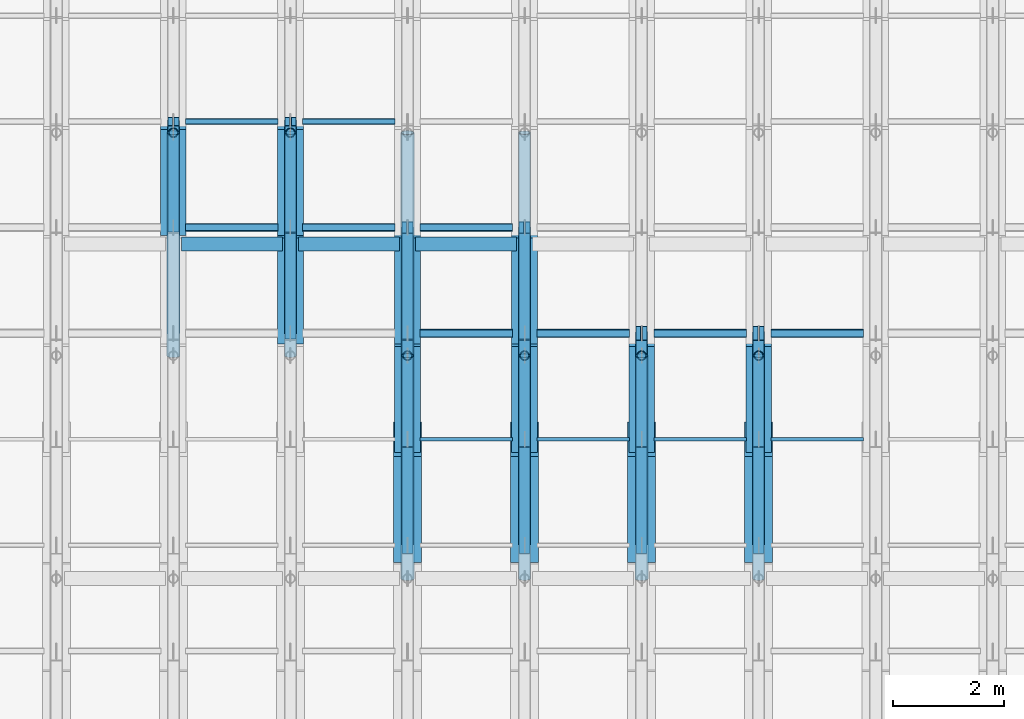
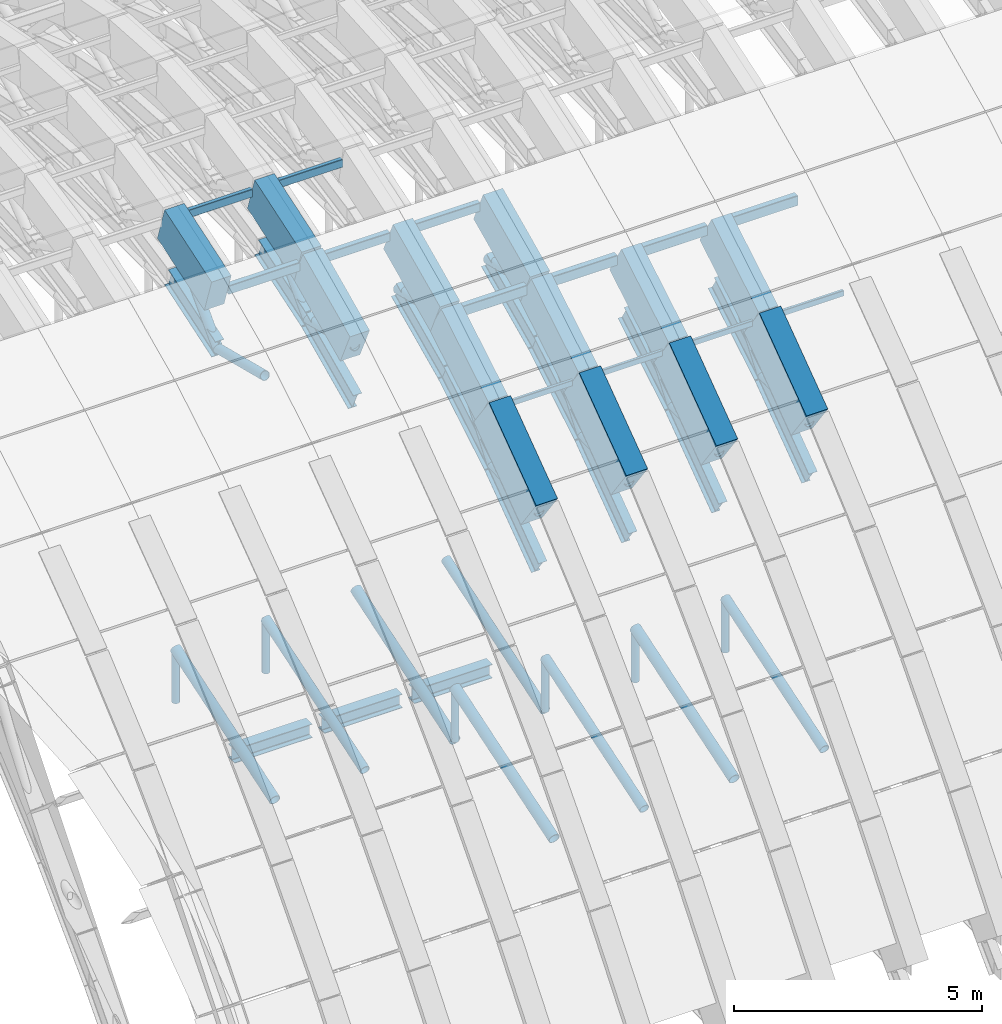
# One storey, part 9 of 67: 41 members, 29 beams.
"""IFC4 building model written with IfcOpenShell, lengths in metres."""

from ifc_helpers import new_model, si_unit, direction, frame, origin, origin_2d, place, context, subcontext, project, spatial, rectangle, hollow_rectangle, hollow_circle, i_section, extrude, material, material_profile, profile_set, type_object, element, save


model = new_model("IFC4")

# Units and contexts
model_context = context("Model", 3, precision=1e-05, world=origin(), true_north=direction((0.0, 1.0)))
body_context = subcontext(model_context, "Body", "Model", "MODEL_VIEW")
ifc_project = project(units=[si_unit("LENGTHUNIT", "METRE"), si_unit("AREAUNIT", "SQUARE_METRE"), si_unit("VOLUMEUNIT", "CUBIC_METRE"), si_unit("PLANEANGLEUNIT", "RADIAN"), si_unit("MASSUNIT", "GRAM", prefix="KILO")], contexts=[model_context])

# Site, building, storey
site_placement = place(None, origin())
site = spatial("IfcSite", under=ifc_project, at=site_placement, CompositionType="ELEMENT")
building_placement = place(site_placement, origin())
building = spatial("IfcBuilding", under=site, at=building_placement, Name="Shengluoqiao Park Theatre", CompositionType="ELEMENT")
storey_placement = place(building_placement, frame((0.0, 0.0, 28.60009765625)))
storey = spatial("IfcBuildingStorey", under=building, at=storey_placement, Name="Roof", CompositionType="ELEMENT", Elevation=28.60009765625)

# Beams
ifc_material_1 = material(Name="Concrete C50", Category="concrete")
ifc_material_profile_1 = material_profile(ifc_material_1, rectangle(XDim=0.4599609375, YDim=0.919921875, at=origin_2d()), Name="RC ARCH 460x920")
ifc_profile_set_1 = profile_set([ifc_material_profile_1], Name="Concrete C50")
beam_type_1 = type_object("IfcBeamType", Name="STR-BM-AR-4609", PredefinedType="BEAM", material=ifc_profile_set_1)
beam_1_placement = place(storey_placement, frame((65.39990234375, 89.300048828125, 1.44580078125), z_axis=(0.0, 0.949157901431, 0.314800378257), x_axis=(-1.0, 0.0, 0.0)))
element("IfcBeam", 1, at=beam_1_placement, inside=storey, type_object=beam_type_1, Name="Barrel-Shell Arch Rib R11-S08", PredefinedType="BEAM", context=body_context, shape_type="SweptSolid", body=[
    extrude(rectangle(XDim=0.4599609375, YDim=0.919921875, at=origin_2d()), origin(), (0.0, 0.0, 1.0), 2.001708984375),
])
beam_2_placement = place(storey_placement, frame((67.5, 87.39990234375, 0.56396484375), z_axis=(0.0, 0.907077318021, 0.420964059192), x_axis=(-1.0, 0.0, 0.0)))
element("IfcBeam", 2, at=beam_2_placement, inside=storey, type_object=beam_type_1, Name="Barrel-Shell Arch Rib R12-S07", PredefinedType="BEAM", context=body_context, shape_type="SweptSolid", body=[
    extrude(rectangle(XDim=0.4599609375, YDim=0.919921875, at=origin_2d()), origin(), (0.0, 0.0, 1.0), 2.0947265625),
])
beam_3_placement = place(storey_placement, frame((67.5, 89.300048828125, 1.44580078125), z_axis=(0.0, 0.949157901431, 0.314800378257), x_axis=(-1.0, 0.0, 0.0)))
element("IfcBeam", 3, at=beam_3_placement, inside=storey, type_object=beam_type_1, Name="Barrel-Shell Arch Rib R12-S08", PredefinedType="BEAM", context=body_context, shape_type="SweptSolid", body=[
    extrude(rectangle(XDim=0.4599609375, YDim=0.919921875, at=origin_2d()), origin(), (0.0, 0.0, 1.0), 2.001708984375),
])
beam_4_placement = place(storey_placement, frame((69.60009765625, 85.5, -0.570068359375), z_axis=(0.0, 0.858668723557, 0.512530997292), x_axis=(-1.0, 0.0, 0.0)))
element("IfcBeam", 4, at=beam_4_placement, inside=storey, type_object=beam_type_1, Name="Barrel-Shell Arch Rib R13-S06", PredefinedType="BEAM", context=body_context, shape_type="SweptSolid", body=[
    extrude(rectangle(XDim=0.4599609375, YDim=0.919921875, at=origin_2d()), origin(), (0.0, 0.0, 1.0), 2.212646484375),
])
beam_5_placement = place(storey_placement, frame((69.60009765625, 87.39990234375, 0.56396484375), z_axis=(0.0, 0.907077318021, 0.420964059192), x_axis=(-1.0, 0.0, 0.0)))
element("IfcBeam", 5, at=beam_5_placement, inside=storey, type_object=beam_type_1, Name="Barrel-Shell Arch Rib R13-S07", PredefinedType="BEAM", context=body_context, shape_type="SweptSolid", body=[
    extrude(rectangle(XDim=0.4599609375, YDim=0.919921875, at=origin_2d()), origin(), (0.0, 0.0, 1.0), 2.0947265625),
])
beam_6_placement = place(storey_placement, frame((71.699951171875, 85.5, -0.570068359375), z_axis=(0.0, 0.858668723557, 0.512530997292), x_axis=(-1.0, 0.0, 0.0)))
element("IfcBeam", 6, at=beam_6_placement, inside=storey, type_object=beam_type_1, Name="Barrel-Shell Arch Rib R14-S06", PredefinedType="BEAM", context=body_context, shape_type="SweptSolid", body=[
    extrude(rectangle(XDim=0.4599609375, YDim=0.919921875, at=origin_2d()), origin(), (0.0, 0.0, 1.0), 2.212646484375),
])
beam_7_placement = place(storey_placement, frame((71.699951171875, 87.39990234375, 0.56396484375), z_axis=(0.0, 0.907077318021, 0.420964059192), x_axis=(-1.0, 0.0, 0.0)))
element("IfcBeam", 7, at=beam_7_placement, inside=storey, type_object=beam_type_1, Name="Barrel-Shell Arch Rib R14-S07", PredefinedType="BEAM", context=body_context, shape_type="SweptSolid", body=[
    extrude(rectangle(XDim=0.4599609375, YDim=0.919921875, at=origin_2d()), origin(), (0.0, 0.0, 1.0), 2.0947265625),
])
for number, where, z_axis, x_axis, name in (
    (8, (73.800048828125, 85.5, -0.570068359375), (0.0, 0.858668723557, 0.512530997292), (-1.0, 0.0, 0.0), "Barrel-Shell Arch Rib R15-S06"),
    (9, (75.89990234375, 85.5, -0.570068359375), (0.0, 0.858668723557, 0.512530997292), (-1.0, 0.0, 0.0), "Barrel-Shell Arch Rib R16-S06"),
):
    element("IfcBeam", number, at=place(storey_placement, frame(where, z_axis=z_axis, x_axis=x_axis)), inside=storey, type_object=beam_type_1, Name=name, PredefinedType="BEAM", context=body_context, shape_type="SweptSolid", body=[
        extrude(rectangle(XDim=0.4599609375, YDim=0.919921875, at=origin_2d()), origin(), (0.0, 0.0, 1.0), 2.212646484375),
    ])
ifc_material_profile_2 = material_profile(ifc_material_1, rectangle(XDim=0.5, YDim=1.050048828125, at=origin_2d()), Name="RC ARCH 500x1050")
ifc_profile_set_2 = profile_set([ifc_material_profile_2], Name="Concrete C50")
beam_type_2 = type_object("IfcBeamType", Name="STR-BM-AR-5010", PredefinedType="BEAM", material=ifc_profile_set_2)
for number, where, z_axis, x_axis, name in (
    (10, (69.60009765625, 83.60009765625, -1.9560546875), (0.0, 0.807877780345, 0.589350058985), (-1.0, 0.0, 0.0), "Barrel-Shell Arch Rib R13-S05"),
    (11, (71.699951171875, 83.60009765625, -1.9560546875), (0.0, 0.807877780345, 0.589350058985), (-1.0, 0.0, 0.0), "Barrel-Shell Arch Rib R14-S05"),
    (12, (73.800048828125, 83.60009765625, -1.9560546875), (0.0, 0.807877780345, 0.589350058985), (-1.0, 0.0, 0.0), "Barrel-Shell Arch Rib R15-S05"),
    (13, (75.89990234375, 83.60009765625, -1.9560546875), (0.0, 0.807877780345, 0.589350058985), (-1.0, 0.0, 0.0), "Barrel-Shell Arch Rib R16-S05"),
):
    element("IfcBeam", number, at=place(storey_placement, frame(where, z_axis=z_axis, x_axis=x_axis)), inside=storey, type_object=beam_type_2, Name=name, PredefinedType="BEAM", context=body_context, shape_type="SweptSolid", body=[
        extrude(rectangle(XDim=0.5, YDim=1.050048828125, at=origin_2d()), origin(), (0.0, 0.0, 1.0), 2.351806640625),
    ])
ifc_material_2 = material(Name="Steel Q355", Category="steel")
ifc_material_profile_3 = material_profile(ifc_material_2, i_section(OverallWidth=0.25, OverallDepth=0.340087890625, WebThickness=0.009033203125, FlangeThickness=0.013916015625, FilletRadius=0.01611328125, at=origin_2d()), Name="HM 340x250x9x14")
ifc_profile_set_3 = profile_set([ifc_material_profile_3], Name="Steel Q355")
beam_type_3 = type_object("IfcBeamType", Name="STR-BM-G-HM340", PredefinedType="BEAM", material=ifc_profile_set_3)
for number, where, z_axis, x_axis, name in (
    (14, (65.5439453125, 89.0, -9.77001953125), (1.0, 0.0, 0.0), (0.0, 1.0, 0.0), "Auditorium Overhead Catwalk Girder R11-2"),
    (15, (67.64404296875, 89.0, -9.77001953125), (1.0, 0.0, 0.0), (0.0, 1.0, 0.0), "Auditorium Overhead Catwalk Girder R12-2"),
    (16, (69.743896484375, 89.0, -9.77001953125), (1.0, 0.0, 0.0), (0.0, 1.0, 0.0), "Auditorium Overhead Catwalk Girder R13-2"),
):
    element("IfcBeam", number, at=place(storey_placement, frame(where, z_axis=z_axis, x_axis=x_axis)), inside=storey, type_object=beam_type_3, Name=name, PredefinedType="BEAM", context=body_context, shape_type="SweptSolid", body=[
        extrude(i_section(OverallWidth=0.25, OverallDepth=0.340087890625, WebThickness=0.009033203125, FlangeThickness=0.013916015625, FilletRadius=0.01611328125, at=origin_2d()), origin(), (0.0, 0.0, 1.0), 1.81201171875),
    ])
ifc_material_profile_4 = material_profile(ifc_material_2, i_section(OverallWidth=0.199951171875, OverallDepth=0.5, WebThickness=0.010009765625, FlangeThickness=0.01611328125, FilletRadius=0.01806640625, at=origin_2d()), Name="HN 500x200x10x16")
ifc_profile_set_4 = profile_set([ifc_material_profile_4], Name="Steel Q355")
beam_type_4 = type_object("IfcBeamType", Name="STR-BM-J-HN500", PredefinedType="JOIST", material=ifc_profile_set_4)
beam_8_placement = place(storey_placement, frame((65.39990234375, 89.300048828125, 0.0859375), z_axis=(0.0, 0.949194340043, 0.314690490531), x_axis=(-1.0, 0.0, 0.0)))
element("IfcBeam", 17, at=beam_8_placement, inside=storey, type_object=beam_type_4, Name="Barrel-Shell Lower Arch Chord R11-S08", PredefinedType="JOIST", context=body_context, shape_type="SweptSolid", body=[
    extrude(i_section(OverallWidth=0.199951171875, OverallDepth=0.5, WebThickness=0.010009765625, FlangeThickness=0.01611328125, FilletRadius=0.01806640625, at=origin_2d()), origin(), (0.0, 0.0, 1.0), 2.001708984375),
])
beam_9_placement = place(storey_placement, frame((67.5, 87.39990234375, -0.796142578125), z_axis=(0.0, 0.907032812412, 0.421059944911), x_axis=(-1.0, 0.0, 0.0)))
element("IfcBeam", 18, at=beam_9_placement, inside=storey, type_object=beam_type_4, Name="Barrel-Shell Lower Arch Chord R12-S07", PredefinedType="JOIST", context=body_context, shape_type="SweptSolid", body=[
    extrude(i_section(OverallWidth=0.199951171875, OverallDepth=0.5, WebThickness=0.010009765625, FlangeThickness=0.01611328125, FilletRadius=0.01806640625, at=origin_2d()), origin(), (0.0, 0.0, 1.0), 2.094970703125),
])
beam_10_placement = place(storey_placement, frame((67.5, 89.300048828125, 0.0859375), z_axis=(0.0, 0.949194340043, 0.314690490531), x_axis=(-1.0, 0.0, 0.0)))
element("IfcBeam", 19, at=beam_10_placement, inside=storey, type_object=beam_type_4, Name="Barrel-Shell Lower Arch Chord R12-S08", PredefinedType="JOIST", context=body_context, shape_type="SweptSolid", body=[
    extrude(i_section(OverallWidth=0.199951171875, OverallDepth=0.5, WebThickness=0.010009765625, FlangeThickness=0.01611328125, FilletRadius=0.01806640625, at=origin_2d()), origin(), (0.0, 0.0, 1.0), 2.001708984375),
])
beam_11_placement = place(storey_placement, frame((69.60009765625, 83.60009765625, -3.316162109375), z_axis=(0.0, 0.807877780345, 0.589350058985), x_axis=(-1.0, 0.0, 0.0)))
element("IfcBeam", 20, at=beam_11_placement, inside=storey, type_object=beam_type_4, Name="Barrel-Shell Lower Arch Chord R13-S05", PredefinedType="JOIST", context=body_context, shape_type="SweptSolid", body=[
    extrude(i_section(OverallWidth=0.199951171875, OverallDepth=0.5, WebThickness=0.010009765625, FlangeThickness=0.01611328125, FilletRadius=0.01806640625, at=origin_2d()), origin(), (0.0, 0.0, 1.0), 2.351806640625),
])
beam_12_placement = place(storey_placement, frame((69.60009765625, 85.5, -1.93017578125), z_axis=(0.0, 0.858668723557, 0.512530997292), x_axis=(-1.0, 0.0, 0.0)))
element("IfcBeam", 21, at=beam_12_placement, inside=storey, type_object=beam_type_4, Name="Barrel-Shell Lower Arch Chord R13-S06", PredefinedType="JOIST", context=body_context, shape_type="SweptSolid", body=[
    extrude(i_section(OverallWidth=0.199951171875, OverallDepth=0.5, WebThickness=0.010009765625, FlangeThickness=0.01611328125, FilletRadius=0.01806640625, at=origin_2d()), origin(), (0.0, 0.0, 1.0), 2.212646484375),
])
beam_13_placement = place(storey_placement, frame((69.60009765625, 87.39990234375, -0.796142578125), z_axis=(0.0, 0.907032812412, 0.421059944911), x_axis=(-1.0, 0.0, 0.0)))
element("IfcBeam", 22, at=beam_13_placement, inside=storey, type_object=beam_type_4, Name="Barrel-Shell Lower Arch Chord R13-S07", PredefinedType="JOIST", context=body_context, shape_type="SweptSolid", body=[
    extrude(i_section(OverallWidth=0.199951171875, OverallDepth=0.5, WebThickness=0.010009765625, FlangeThickness=0.01611328125, FilletRadius=0.01806640625, at=origin_2d()), origin(), (0.0, 0.0, 1.0), 2.094970703125),
])
beam_14_placement = place(storey_placement, frame((71.699951171875, 83.60009765625, -3.316162109375), z_axis=(0.0, 0.807877780345, 0.589350058985), x_axis=(-1.0, 0.0, 0.0)))
element("IfcBeam", 23, at=beam_14_placement, inside=storey, type_object=beam_type_4, Name="Barrel-Shell Lower Arch Chord R14-S05", PredefinedType="JOIST", context=body_context, shape_type="SweptSolid", body=[
    extrude(i_section(OverallWidth=0.199951171875, OverallDepth=0.5, WebThickness=0.010009765625, FlangeThickness=0.01611328125, FilletRadius=0.01806640625, at=origin_2d()), origin(), (0.0, 0.0, 1.0), 2.351806640625),
])
beam_15_placement = place(storey_placement, frame((71.699951171875, 85.5, -1.93017578125), z_axis=(0.0, 0.858668723557, 0.512530997292), x_axis=(-1.0, 0.0, 0.0)))
element("IfcBeam", 24, at=beam_15_placement, inside=storey, type_object=beam_type_4, Name="Barrel-Shell Lower Arch Chord R14-S06", PredefinedType="JOIST", context=body_context, shape_type="SweptSolid", body=[
    extrude(i_section(OverallWidth=0.199951171875, OverallDepth=0.5, WebThickness=0.010009765625, FlangeThickness=0.01611328125, FilletRadius=0.01806640625, at=origin_2d()), origin(), (0.0, 0.0, 1.0), 2.212646484375),
])
beam_16_placement = place(storey_placement, frame((71.699951171875, 87.39990234375, -0.796142578125), z_axis=(0.0, 0.907032812412, 0.421059944911), x_axis=(-1.0, 0.0, 0.0)))
element("IfcBeam", 25, at=beam_16_placement, inside=storey, type_object=beam_type_4, Name="Barrel-Shell Lower Arch Chord R14-S07", PredefinedType="JOIST", context=body_context, shape_type="SweptSolid", body=[
    extrude(i_section(OverallWidth=0.199951171875, OverallDepth=0.5, WebThickness=0.010009765625, FlangeThickness=0.01611328125, FilletRadius=0.01806640625, at=origin_2d()), origin(), (0.0, 0.0, 1.0), 2.094970703125),
])
beam_17_placement = place(storey_placement, frame((73.800048828125, 83.60009765625, -3.316162109375), z_axis=(0.0, 0.807877780345, 0.589350058985), x_axis=(-1.0, 0.0, 0.0)))
element("IfcBeam", 26, at=beam_17_placement, inside=storey, type_object=beam_type_4, Name="Barrel-Shell Lower Arch Chord R15-S05", PredefinedType="JOIST", context=body_context, shape_type="SweptSolid", body=[
    extrude(i_section(OverallWidth=0.199951171875, OverallDepth=0.5, WebThickness=0.010009765625, FlangeThickness=0.01611328125, FilletRadius=0.01806640625, at=origin_2d()), origin(), (0.0, 0.0, 1.0), 2.351806640625),
])
beam_18_placement = place(storey_placement, frame((73.800048828125, 85.5, -1.93017578125), z_axis=(0.0, 0.858668723557, 0.512530997292), x_axis=(-1.0, 0.0, 0.0)))
element("IfcBeam", 27, at=beam_18_placement, inside=storey, type_object=beam_type_4, Name="Barrel-Shell Lower Arch Chord R15-S06", PredefinedType="JOIST", context=body_context, shape_type="SweptSolid", body=[
    extrude(i_section(OverallWidth=0.199951171875, OverallDepth=0.5, WebThickness=0.010009765625, FlangeThickness=0.01611328125, FilletRadius=0.01806640625, at=origin_2d()), origin(), (0.0, 0.0, 1.0), 2.212646484375),
])
beam_19_placement = place(storey_placement, frame((75.89990234375, 83.60009765625, -3.316162109375), z_axis=(0.0, 0.807877780345, 0.589350058985), x_axis=(-1.0, 0.0, 0.0)))
element("IfcBeam", 28, at=beam_19_placement, inside=storey, type_object=beam_type_4, Name="Barrel-Shell Lower Arch Chord R16-S05", PredefinedType="JOIST", context=body_context, shape_type="SweptSolid", body=[
    extrude(i_section(OverallWidth=0.199951171875, OverallDepth=0.5, WebThickness=0.010009765625, FlangeThickness=0.01611328125, FilletRadius=0.01806640625, at=origin_2d()), origin(), (0.0, 0.0, 1.0), 2.351806640625),
])
beam_20_placement = place(storey_placement, frame((75.89990234375, 85.5, -1.93017578125), z_axis=(0.0, 0.858668723557, 0.512530997292), x_axis=(-1.0, 0.0, 0.0)))
element("IfcBeam", 29, at=beam_20_placement, inside=storey, type_object=beam_type_4, Name="Barrel-Shell Lower Arch Chord R16-S06", PredefinedType="JOIST", context=body_context, shape_type="SweptSolid", body=[
    extrude(i_section(OverallWidth=0.199951171875, OverallDepth=0.5, WebThickness=0.010009765625, FlangeThickness=0.01611328125, FilletRadius=0.01806640625, at=origin_2d()), origin(), (0.0, 0.0, 1.0), 2.212646484375),
])

# Members
ifc_material_profile_5 = material_profile(ifc_material_2, hollow_circle(Radius=0.109619140625, WallThickness=0.010009765625, at=origin_2d()), Name="CHS 219x10")
ifc_profile_set_5 = profile_set([ifc_material_profile_5], Name="Steel Q355")
member_type_1 = type_object("IfcMemberType", Name="STR-MEM-BRC-219", PredefinedType="BRACE", material=ifc_profile_set_5)
member_1_placement = place(storey_placement, frame((65.39990234375, 87.39990234375, 0.56396484375), z_axis=(0.0, 0.96978228772, -0.243971954176), x_axis=(-1.0, 0.0, 0.0)))
element("IfcMember", 30, at=member_1_placement, inside=storey, type_object=member_type_1, Name="Barrel-Shell Arch Truss Web 0207", PredefinedType="BRACE", context=body_context, shape_type="SweptSolid", body=[
    extrude(hollow_circle(Radius=0.109619140625, WallThickness=0.010009765625, at=origin_2d()), origin(), (0.0, 0.0, 1.0), 1.95947265625),
])
member_2_placement = place(storey_placement, frame((65.39990234375, 89.300048828125, 0.0859375), z_axis=(0.0, 0.690545389436, 0.723289060562), x_axis=(-1.0, 0.0, 0.0)))
element("IfcMember", 31, at=member_2_placement, inside=storey, type_object=member_type_1, Name="Barrel-Shell Arch Truss Web 0208", PredefinedType="BRACE", context=body_context, shape_type="SweptSolid", body=[
    extrude(hollow_circle(Radius=0.109619140625, WallThickness=0.010009765625, at=origin_2d()), origin(), (0.0, 0.0, 1.0), 2.751220703125),
])
member_3_placement = place(storey_placement, frame((67.5, 87.39990234375, 0.56396484375), z_axis=(0.0, 0.96978228772, -0.243971954176), x_axis=(-1.0, 0.0, 0.0)))
element("IfcMember", 32, at=member_3_placement, inside=storey, type_object=member_type_1, Name="Barrel-Shell Arch Truss Web 0227", PredefinedType="BRACE", context=body_context, shape_type="SweptSolid", body=[
    extrude(hollow_circle(Radius=0.109619140625, WallThickness=0.010009765625, at=origin_2d()), origin(), (0.0, 0.0, 1.0), 1.95947265625),
])
member_4_placement = place(storey_placement, frame((67.5, 89.300048828125, 0.0859375), z_axis=(0.0, 0.690545389436, 0.723289060562), x_axis=(-1.0, 0.0, 0.0)))
element("IfcMember", 33, at=member_4_placement, inside=storey, type_object=member_type_1, Name="Barrel-Shell Arch Truss Web 0228", PredefinedType="BRACE", context=body_context, shape_type="SweptSolid", body=[
    extrude(hollow_circle(Radius=0.109619140625, WallThickness=0.010009765625, at=origin_2d()), origin(), (0.0, 0.0, 1.0), 2.751220703125),
])
member_5_placement = place(storey_placement, frame((69.60009765625, 83.60009765625, -1.9560546875), z_axis=(0.0, 0.999907244674, 0.013619913639), x_axis=(-1.0, 0.0, 0.0)))
element("IfcMember", 34, at=member_5_placement, inside=storey, type_object=member_type_1, Name="Barrel-Shell Arch Truss Web 0245", PredefinedType="BRACE", context=body_context, shape_type="SweptSolid", body=[
    extrude(hollow_circle(Radius=0.109619140625, WallThickness=0.010009765625, at=origin_2d()), origin(), (0.0, 0.0, 1.0), 1.900146484375),
])
member_6_placement = place(storey_placement, frame((69.60009765625, 85.5, -1.93017578125), z_axis=(0.0, 0.605963445698, 0.795492490523), x_axis=(-1.0, 0.0, 0.0)))
element("IfcMember", 35, at=member_6_placement, inside=storey, type_object=member_type_1, Name="Barrel-Shell Arch Truss Web 0246", PredefinedType="BRACE", context=body_context, shape_type="SweptSolid", body=[
    extrude(hollow_circle(Radius=0.109619140625, WallThickness=0.010009765625, at=origin_2d()), origin(), (0.0, 0.0, 1.0), 3.13525390625),
])
member_7_placement = place(storey_placement, frame((69.60009765625, 87.39990234375, 0.56396484375), z_axis=(0.0, 0.96978228772, -0.243971954176), x_axis=(-1.0, 0.0, 0.0)))
element("IfcMember", 36, at=member_7_placement, inside=storey, type_object=member_type_1, Name="Barrel-Shell Arch Truss Web 0247", PredefinedType="BRACE", context=body_context, shape_type="SweptSolid", body=[
    extrude(hollow_circle(Radius=0.109619140625, WallThickness=0.010009765625, at=origin_2d()), origin(), (0.0, 0.0, 1.0), 1.95947265625),
])
member_8_placement = place(storey_placement, frame((71.699951171875, 83.60009765625, -1.9560546875), z_axis=(0.0, 0.999907244674, 0.013619913639), x_axis=(-1.0, 0.0, 0.0)))
element("IfcMember", 37, at=member_8_placement, inside=storey, type_object=member_type_1, Name="Barrel-Shell Arch Truss Web 0265", PredefinedType="BRACE", context=body_context, shape_type="SweptSolid", body=[
    extrude(hollow_circle(Radius=0.109619140625, WallThickness=0.010009765625, at=origin_2d()), origin(), (0.0, 0.0, 1.0), 1.900146484375),
])
member_9_placement = place(storey_placement, frame((71.699951171875, 85.5, -1.93017578125), z_axis=(0.0, 0.605963445698, 0.795492490523), x_axis=(-1.0, 0.0, 0.0)))
element("IfcMember", 38, at=member_9_placement, inside=storey, type_object=member_type_1, Name="Barrel-Shell Arch Truss Web 0266", PredefinedType="BRACE", context=body_context, shape_type="SweptSolid", body=[
    extrude(hollow_circle(Radius=0.109619140625, WallThickness=0.010009765625, at=origin_2d()), origin(), (0.0, 0.0, 1.0), 3.13525390625),
])
member_10_placement = place(storey_placement, frame((71.699951171875, 87.39990234375, 0.56396484375), z_axis=(0.0, 0.96978228772, -0.243971954176), x_axis=(-1.0, 0.0, 0.0)))
element("IfcMember", 39, at=member_10_placement, inside=storey, type_object=member_type_1, Name="Barrel-Shell Arch Truss Web 0267", PredefinedType="BRACE", context=body_context, shape_type="SweptSolid", body=[
    extrude(hollow_circle(Radius=0.109619140625, WallThickness=0.010009765625, at=origin_2d()), origin(), (0.0, 0.0, 1.0), 1.95947265625),
])
member_11_placement = place(storey_placement, frame((73.800048828125, 83.60009765625, -1.9560546875), z_axis=(0.0, 0.999907244674, 0.013619913639), x_axis=(-1.0, 0.0, 0.0)))
element("IfcMember", 40, at=member_11_placement, inside=storey, type_object=member_type_1, Name="Barrel-Shell Arch Truss Web 0285", PredefinedType="BRACE", context=body_context, shape_type="SweptSolid", body=[
    extrude(hollow_circle(Radius=0.109619140625, WallThickness=0.010009765625, at=origin_2d()), origin(), (0.0, 0.0, 1.0), 1.900146484375),
])
member_12_placement = place(storey_placement, frame((73.800048828125, 85.5, -1.93017578125), z_axis=(0.0, 0.605963445698, 0.795492490523), x_axis=(-1.0, 0.0, 0.0)))
element("IfcMember", 41, at=member_12_placement, inside=storey, type_object=member_type_1, Name="Barrel-Shell Arch Truss Web 0286", PredefinedType="BRACE", context=body_context, shape_type="SweptSolid", body=[
    extrude(hollow_circle(Radius=0.109619140625, WallThickness=0.010009765625, at=origin_2d()), origin(), (0.0, 0.0, 1.0), 3.13525390625),
])
member_13_placement = place(storey_placement, frame((75.89990234375, 83.60009765625, -1.9560546875), z_axis=(0.0, 0.999907244674, 0.013619913639), x_axis=(-1.0, 0.0, 0.0)))
element("IfcMember", 42, at=member_13_placement, inside=storey, type_object=member_type_1, Name="Barrel-Shell Arch Truss Web 0305", PredefinedType="BRACE", context=body_context, shape_type="SweptSolid", body=[
    extrude(hollow_circle(Radius=0.109619140625, WallThickness=0.010009765625, at=origin_2d()), origin(), (0.0, 0.0, 1.0), 1.900146484375),
])
member_14_placement = place(storey_placement, frame((75.89990234375, 85.5, -1.93017578125), z_axis=(0.0, 0.605963445698, 0.795492490523), x_axis=(-1.0, 0.0, 0.0)))
element("IfcMember", 43, at=member_14_placement, inside=storey, type_object=member_type_1, Name="Barrel-Shell Arch Truss Web 0306", PredefinedType="BRACE", context=body_context, shape_type="SweptSolid", body=[
    extrude(hollow_circle(Radius=0.109619140625, WallThickness=0.010009765625, at=origin_2d()), origin(), (0.0, 0.0, 1.0), 3.13525390625),
])
for number, where, z_axis, x_axis, name in (
    (44, (67.5, 87.0, -9.650146484375), (0.0, 0.951030656115, 0.309096572498), (-1.0, 0.0, 0.0), "Acoustic Tie Truss Diagonal 0046"),
    (45, (71.699951171875, 83.0, -9.650146484375), (0.0, 0.951030656115, 0.309096572498), (-1.0, 0.0, 0.0), "Acoustic Tie Truss Diagonal 0079"),
    (46, (71.699951171875, 87.0, -9.650146484375), (0.0, 0.951030656115, 0.309096572498), (-1.0, 0.0, 0.0), "Acoustic Tie Truss Diagonal 0080"),
    (47, (75.89990234375, 83.0, -9.650146484375), (0.0, 0.951030656115, 0.309096572498), (-1.0, 0.0, 0.0), "Acoustic Tie Truss Diagonal 0113"),
):
    element("IfcMember", number, at=place(storey_placement, frame(where, z_axis=z_axis, x_axis=x_axis)), inside=storey, type_object=member_type_1, Name=name, PredefinedType="BRACE", context=body_context, shape_type="SweptSolid", body=[
        extrude(hollow_circle(Radius=0.109619140625, WallThickness=0.010009765625, at=origin_2d()), origin(), (0.0, 0.0, 1.0), 4.2060546875),
    ])
ifc_material_profile_6 = material_profile(ifc_material_2, hollow_circle(Radius=0.12255859375, WallThickness=0.010009765625, at=origin_2d()), Name="CHS 245x10")
ifc_profile_set_6 = profile_set([ifc_material_profile_6], Name="Steel Q355")
member_type_2 = type_object("IfcMemberType", Name="STR-MEM-BRC-245", PredefinedType="BRACE", material=ifc_profile_set_6)
for number, where, z_axis, x_axis, name in (
    (48, (65.39990234375, 87.0, -9.650146484375), (0.0, 0.951030656115, 0.309096572498), (-1.0, 0.0, 0.0), "Acoustic Tie Truss Diagonal 0029"),
    (49, (69.60009765625, 83.0, -9.650146484375), (0.0, 0.951030656115, 0.309096572498), (-1.0, 0.0, 0.0), "Acoustic Tie Truss Diagonal 0062"),
    (50, (69.60009765625, 87.0, -9.650146484375), (0.0, 0.951030656115, 0.309096572498), (-1.0, 0.0, 0.0), "Acoustic Tie Truss Diagonal 0063"),
    (51, (73.800048828125, 83.0, -9.650146484375), (0.0, 0.951030656115, 0.309096572498), (-1.0, 0.0, 0.0), "Acoustic Tie Truss Diagonal 0096"),
):
    element("IfcMember", number, at=place(storey_placement, frame(where, z_axis=z_axis, x_axis=x_axis)), inside=storey, type_object=member_type_2, Name=name, PredefinedType="BRACE", context=body_context, shape_type="SweptSolid", body=[
        extrude(hollow_circle(Radius=0.12255859375, WallThickness=0.010009765625, at=origin_2d()), origin(), (0.0, 0.0, 1.0), 4.2060546875),
    ])
ifc_material_profile_7 = material_profile(ifc_material_2, hollow_rectangle(XDim=0.070068359375, YDim=0.139892578125, WallThickness=0.006103515625, InnerFilletRadius=0.006103515625, OuterFilletRadius=0.011962890625, at=origin_2d()), Name="RHS 140x70x6")
ifc_profile_set_7 = profile_set([ifc_material_profile_7], Name="Steel Q355")
member_type_3 = type_object("IfcMemberType", Name="STR-MEM-PU-R140", PredefinedType="PURLIN", material=ifc_profile_set_7)
member_15_placement = place(storey_placement, frame((69.820068359375, 85.5, -0.570068359375), z_axis=(1.0, 0.0, 0.0), x_axis=(0.0, 1.0, 0.0)))
element("IfcMember", 52, at=member_15_placement, inside=storey, type_object=member_type_3, Name="Shell Longitudinal Purlin 0233", PredefinedType="PURLIN", context=body_context, shape_type="SweptSolid", body=[
    extrude(hollow_rectangle(XDim=0.070068359375, YDim=0.139892578125, WallThickness=0.006103515625, InnerFilletRadius=0.006103515625, OuterFilletRadius=0.011962890625, at=origin_2d()), origin(), (0.0, 0.0, 1.0), 1.659912109375),
])
member_16_placement = place(storey_placement, frame((71.919921875, 85.5, -0.570068359375), z_axis=(1.0, 0.0, 0.0), x_axis=(0.0, 1.0, 0.0)))
element("IfcMember", 53, at=member_16_placement, inside=storey, type_object=member_type_3, Name="Shell Longitudinal Purlin 0252", PredefinedType="PURLIN", context=body_context, shape_type="SweptSolid", body=[
    extrude(hollow_rectangle(XDim=0.070068359375, YDim=0.139892578125, WallThickness=0.006103515625, InnerFilletRadius=0.006103515625, OuterFilletRadius=0.011962890625, at=origin_2d()), origin(), (0.0, 0.0, 1.0), 1.66015625),
])
for number, where, z_axis, x_axis, name in (
    (54, (74.02001953125, 85.5, -0.570068359375), (1.0, 0.0, 0.0), (0.0, 1.0, 0.0), "Shell Longitudinal Purlin 0271"),
    (55, (76.1201171875, 85.5, -0.570068359375), (1.0, 0.0, 0.0), (0.0, 1.0, 0.0), "Shell Longitudinal Purlin 0290"),
):
    element("IfcMember", number, at=place(storey_placement, frame(where, z_axis=z_axis, x_axis=x_axis)), inside=storey, type_object=member_type_3, Name=name, PredefinedType="PURLIN", context=body_context, shape_type="SweptSolid", body=[
        extrude(hollow_rectangle(XDim=0.070068359375, YDim=0.139892578125, WallThickness=0.006103515625, InnerFilletRadius=0.006103515625, OuterFilletRadius=0.011962890625, at=origin_2d()), origin(), (0.0, 0.0, 1.0), 1.659912109375),
    ])
ifc_material_profile_8 = material_profile(ifc_material_2, hollow_rectangle(XDim=0.10009765625, YDim=0.199951171875, WallThickness=0.008056640625, InnerFilletRadius=0.008056640625, OuterFilletRadius=0.01611328125, at=origin_2d()), Name="RHS 200x100x8")
ifc_profile_set_8 = profile_set([ifc_material_profile_8], Name="Steel Q355")
member_type_4 = type_object("IfcMemberType", Name="STR-MEM-PU-R200", PredefinedType="PURLIN", material=ifc_profile_set_8)
for number, where, z_axis, x_axis, name in (
    (56, (65.6201171875, 91.199951171875, 2.1259765625), (1.0, 0.0, 0.0), (0.0, 1.0, 0.0), "Shell Longitudinal Purlin 0198"),
    (57, (67.719970703125, 91.199951171875, 2.1259765625), (1.0, 0.0, 0.0), (0.0, 1.0, 0.0), "Shell Longitudinal Purlin 0217"),
):
    element("IfcMember", number, at=place(storey_placement, frame(where, z_axis=z_axis, x_axis=x_axis)), inside=storey, type_object=member_type_4, Name=name, PredefinedType="PURLIN", context=body_context, shape_type="SweptSolid", body=[
        extrude(hollow_rectangle(XDim=0.10009765625, YDim=0.199951171875, WallThickness=0.008056640625, InnerFilletRadius=0.008056640625, OuterFilletRadius=0.01611328125, at=origin_2d()), origin(), (0.0, 0.0, 1.0), 1.659912109375),
    ])
ifc_material_profile_9 = material_profile(ifc_material_2, hollow_rectangle(XDim=0.139892578125, YDim=0.219970703125, WallThickness=0.010009765625, InnerFilletRadius=0.010009765625, OuterFilletRadius=0.02001953125, at=origin_2d()), Name="RHS 220x140x10")
ifc_profile_set_9 = profile_set([ifc_material_profile_9], Name="Steel Q355")
member_type_5 = type_object("IfcMemberType", Name="STR-MEM-PU-R220", PredefinedType="PURLIN", material=ifc_profile_set_9)
for number, where, z_axis, x_axis, name in (
    (58, (65.6201171875, 89.300048828125, 1.475830078125), (1.0, 0.0, 0.0), (0.0, 1.0, 0.0), "Shell Longitudinal Purlin 0197"),
    (59, (67.719970703125, 89.300048828125, 1.475830078125), (1.0, 0.0, 0.0), (0.0, 1.0, 0.0), "Shell Longitudinal Purlin 0216"),
    (60, (69.820068359375, 89.300048828125, 1.475830078125), (1.0, 0.0, 0.0), (0.0, 1.0, 0.0), "Shell Longitudinal Purlin 0235"),
):
    element("IfcMember", number, at=place(storey_placement, frame(where, z_axis=z_axis, x_axis=x_axis)), inside=storey, type_object=member_type_5, Name=name, PredefinedType="PURLIN", context=body_context, shape_type="SweptSolid", body=[
        extrude(hollow_rectangle(XDim=0.139892578125, YDim=0.219970703125, WallThickness=0.010009765625, InnerFilletRadius=0.010009765625, OuterFilletRadius=0.02001953125, at=origin_2d()), origin(), (0.0, 0.0, 1.0), 1.659912109375),
    ])
ifc_material_profile_10 = material_profile(ifc_material_2, hollow_rectangle(XDim=0.14990234375, YDim=0.25, WallThickness=0.010009765625, InnerFilletRadius=0.010009765625, OuterFilletRadius=0.02001953125, at=origin_2d()), Name="RHS 250x150x10")
ifc_profile_set_10 = profile_set([ifc_material_profile_10], Name="Steel Q355")
member_type_6 = type_object("IfcMemberType", Name="STR-MEM-PU-R250", PredefinedType="PURLIN", material=ifc_profile_set_10)
member_17_placement = place(storey_placement, frame((69.820068359375, 87.39990234375, 0.583984375), z_axis=(1.0, 0.0, 0.0), x_axis=(0.0, 1.0, 0.0)))
element("IfcMember", 61, at=member_17_placement, inside=storey, type_object=member_type_6, Name="Shell Longitudinal Purlin 0234", PredefinedType="PURLIN", context=body_context, shape_type="SweptSolid", body=[
    extrude(hollow_rectangle(XDim=0.14990234375, YDim=0.25, WallThickness=0.010009765625, InnerFilletRadius=0.010009765625, OuterFilletRadius=0.02001953125, at=origin_2d()), origin(), (0.0, 0.0, 1.0), 1.659912109375),
])
member_18_placement = place(storey_placement, frame((71.919921875, 87.39990234375, 0.583984375), z_axis=(1.0, 0.0, 0.0), x_axis=(0.0, 1.0, 0.0)))
element("IfcMember", 62, at=member_18_placement, inside=storey, type_object=member_type_6, Name="Shell Longitudinal Purlin 0253", PredefinedType="PURLIN", context=body_context, shape_type="SweptSolid", body=[
    extrude(hollow_rectangle(XDim=0.14990234375, YDim=0.25, WallThickness=0.010009765625, InnerFilletRadius=0.010009765625, OuterFilletRadius=0.02001953125, at=origin_2d()), origin(), (0.0, 0.0, 1.0), 1.66015625),
])
for number, where, z_axis, x_axis, name in (
    (63, (74.02001953125, 87.39990234375, 0.583984375), (1.0, 0.0, 0.0), (0.0, 1.0, 0.0), "Shell Longitudinal Purlin 0272"),
    (64, (76.1201171875, 87.39990234375, 0.583984375), (1.0, 0.0, 0.0), (0.0, 1.0, 0.0), "Shell Longitudinal Purlin 0291"),
):
    element("IfcMember", number, at=place(storey_placement, frame(where, z_axis=z_axis, x_axis=x_axis)), inside=storey, type_object=member_type_6, Name=name, PredefinedType="PURLIN", context=body_context, shape_type="SweptSolid", body=[
        extrude(hollow_rectangle(XDim=0.14990234375, YDim=0.25, WallThickness=0.010009765625, InnerFilletRadius=0.010009765625, OuterFilletRadius=0.02001953125, at=origin_2d()), origin(), (0.0, 0.0, 1.0), 1.659912109375),
    ])
ifc_material_profile_11 = material_profile(ifc_material_2, hollow_circle(Radius=0.083984375, WallThickness=0.008056640625, at=origin_2d()), Name="CHS 168x8")
ifc_profile_set_11 = profile_set([ifc_material_profile_11], Name="Steel Q355")
member_type_7 = type_object("IfcMemberType", Name="STR-MEM-STC-168", PredefinedType="STRUT", material=ifc_profile_set_11)
for number, where, z_axis, x_axis, name in (
    (65, (65.39990234375, 91.0, -9.650146484375), (0.0, 0.0, 1.0), (1.0, 0.0, 0.0), "Acoustic Tie Truss Strut 0021"),
    (66, (67.5, 91.0, -9.650146484375), (0.0, 0.0, 1.0), (1.0, 0.0, 0.0), "Acoustic Tie Truss Strut 0038"),
    (67, (69.60009765625, 87.0, -9.650146484375), (0.0, 0.0, 1.0), (1.0, 0.0, 0.0), "Acoustic Tie Truss Strut 0054"),
    (68, (71.699951171875, 87.0, -9.650146484375), (0.0, 0.0, 1.0), (1.0, 0.0, 0.0), "Acoustic Tie Truss Strut 0071"),
    (69, (73.800048828125, 87.0, -9.650146484375), (0.0, 0.0, 1.0), (1.0, 0.0, 0.0), "Acoustic Tie Truss Strut 0088"),
    (70, (75.89990234375, 87.0, -9.650146484375), (0.0, 0.0, 1.0), (1.0, 0.0, 0.0), "Acoustic Tie Truss Strut 0105"),
):
    element("IfcMember", number, at=place(storey_placement, frame(where, z_axis=z_axis, x_axis=x_axis)), inside=storey, type_object=member_type_7, Name=name, PredefinedType="STRUT", context=body_context, shape_type="SweptSolid", body=[
        extrude(hollow_circle(Radius=0.083984375, WallThickness=0.008056640625, at=origin_2d()), origin(), (0.0, 0.0, 1.0), 1.300048828125),
    ])

save(model, "model.ifc")
